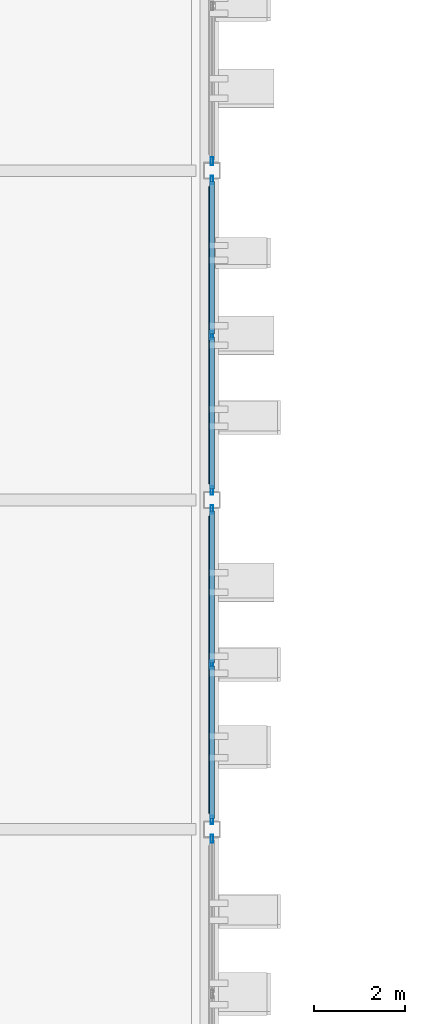
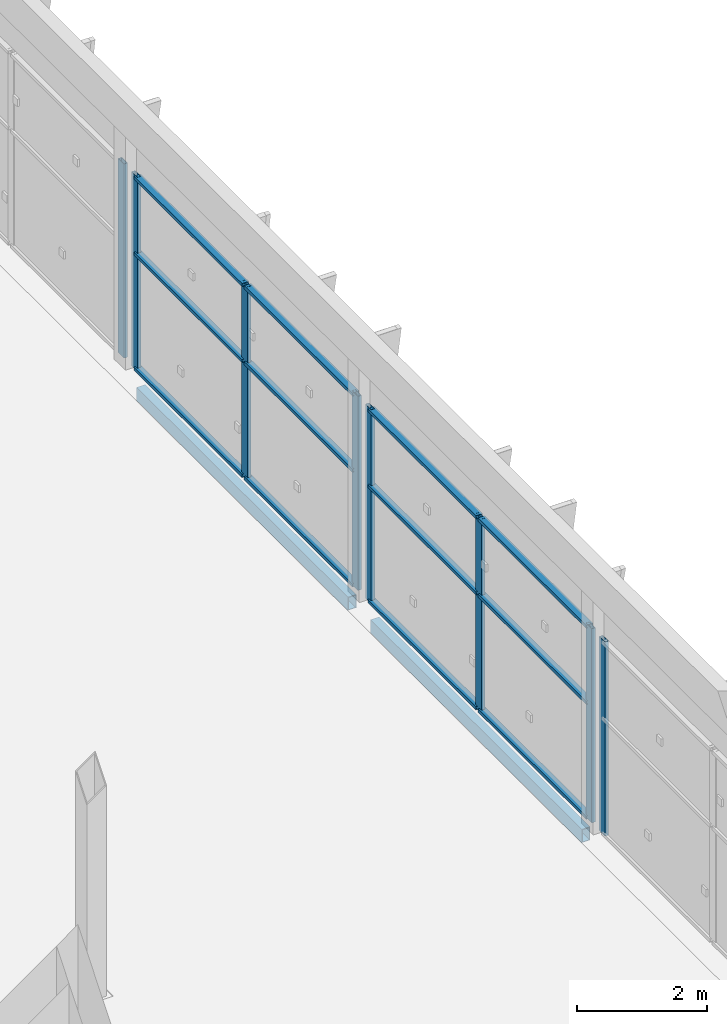
# One storey, part 50 of 124: 20 members, 2 beams, 4 elements without a shape of their own.
"""IFC4 building model written with IfcOpenShell, lengths in metres."""

from ifc_helpers import new_model, si_unit, direction, frame, origin, origin_2d, place, context, subcontext, project, spatial, hollow_rectangle, extrude, material, layer, layer_set, material_profile, profile_set, type_object, element, aggregate, save


model = new_model("IFC4")

# Units and contexts
model_context = context("Model", 3, precision=1e-05, world=origin(), true_north=direction((0.0, 1.0)))
body_context = subcontext(model_context, "Body", "Model", "MODEL_VIEW")
ifc_project = project(units=[si_unit("LENGTHUNIT", "METRE"), si_unit("AREAUNIT", "SQUARE_METRE"), si_unit("VOLUMEUNIT", "CUBIC_METRE"), si_unit("PLANEANGLEUNIT", "RADIAN"), si_unit("MASSUNIT", "GRAM", prefix="KILO")], contexts=[model_context])

# Site, building, storey
site_placement = place(None, origin())
site = spatial("IfcSite", under=ifc_project, at=site_placement, CompositionType="ELEMENT")
building_placement = place(site_placement, origin())
building = spatial("IfcBuilding", under=site, at=building_placement, Name="Celestram Park Convention Centre", CompositionType="ELEMENT")
storey_placement = place(building_placement, frame((0.0, 0.0, 15.300048828125)))
storey = spatial("IfcBuildingStorey", under=building, at=storey_placement, Name="L03", CompositionType="ELEMENT", Elevation=15.300048828125)

# Curtain wall, member
ifc_material_1 = material(Name="Anodised Aluminium Alloy 6063-T6", Category="aluminium")
ifc_layer = layer(ifc_material_1, 0.179931640625)
ifc_layer_set = layer_set([ifc_layer], Name="Anodised Aluminium Alloy 6063-T6")
curtain_wall_type = type_object("IfcCurtainWallType", Name="ARC-CW-685X365", PredefinedType="NOTDEFINED", material=ifc_layer_set)
curtain_wall_1_placement = place(storey_placement, origin())
curtain_wall_1 = element("IfcCurtainWall", 1, at=curtain_wall_1_placement, inside=storey, type_object=curtain_wall_type, Name="Unitised curtain wall CU-L03-222", PredefinedType="NOTDEFINED")
ifc_material_profile_1 = material_profile(ifc_material_1, hollow_rectangle(XDim=0.06494140625, YDim=0.179931640625, WallThickness=0.00390625, at=origin_2d()), Name="ALU65X180X4")
ifc_profile_set_1 = profile_set([ifc_material_profile_1], Name="Anodised Aluminium Alloy 6063-T6")
member_type_1 = type_object("IfcMemberType", Name="ARC-CWM-150", PredefinedType="MULLION", material=ifc_profile_set_1)
member_1_placement = place(storey_placement, frame((144.0, 79.405517578125, 0.0), z_axis=(0.0, 0.0, 1.0), x_axis=(1.0, 0.0, 0.0)))
member_1 = element("IfcMember", 2, at=member_1_placement, type_object=member_type_1, Name="CW-68X36 mullion 3", PredefinedType="MULLION", context=body_context, shape_type="SweptSolid", body=[
    extrude(hollow_rectangle(XDim=0.06494140625, YDim=0.179931640625, WallThickness=0.00390625, at=origin_2d()), origin(), (0.0, 0.0, 1.0), 3.64794921875),
])
aggregate(curtain_wall_1, [member_1])

# Curtain wall, members
curtain_wall_2_placement = place(storey_placement, origin())
curtain_wall_2 = element("IfcCurtainWall", 3, at=curtain_wall_2_placement, inside=storey, type_object=curtain_wall_type, Name="Unitised curtain wall CU-L03-223", PredefinedType="NOTDEFINED")
member_2_placement = place(storey_placement, frame((144.0, 78.994384765625, 0.0), z_axis=(0.0, 0.0, 1.0), x_axis=(1.0, 0.0, 0.0)))
member_2 = element("IfcMember", 4, at=member_2_placement, type_object=member_type_1, Name="CW-68X36 mullion 1", PredefinedType="MULLION", context=body_context, shape_type="SweptSolid", body=[
    extrude(hollow_rectangle(XDim=0.06494140625, YDim=0.179931640625, WallThickness=0.00390625, at=origin_2d()), origin(), (0.0, 0.0, 1.0), 3.64794921875),
])
member_3_placement = place(storey_placement, frame((144.0, 75.60009765625, 0.0), z_axis=(0.0, 0.0, 1.0), x_axis=(1.0, 0.0, 0.0)))
member_3 = element("IfcMember", 5, at=member_3_placement, type_object=member_type_1, Name="CW-68X36 mullion 2", PredefinedType="MULLION", context=body_context, shape_type="SweptSolid", body=[
    extrude(hollow_rectangle(XDim=0.06494140625, YDim=0.179931640625, WallThickness=0.00390625, at=origin_2d()), origin(), (0.0, 0.0, 1.0), 3.64794921875),
])
member_4_placement = place(storey_placement, frame((144.0, 72.20556640625, 0.0), z_axis=(0.0, 0.0, 1.0), x_axis=(1.0, 0.0, 0.0)))
member_4 = element("IfcMember", 6, at=member_4_placement, type_object=member_type_1, Name="CW-68X36 mullion 3", PredefinedType="MULLION", context=body_context, shape_type="SweptSolid", body=[
    extrude(hollow_rectangle(XDim=0.06494140625, YDim=0.179931640625, WallThickness=0.00390625, at=origin_2d()), origin(), (0.0, 0.0, 1.0), 3.64794921875),
])

curtain_wall_3_placement = place(storey_placement, origin())
curtain_wall_3 = element("IfcCurtainWall", 7, at=curtain_wall_3_placement, inside=storey, type_object=curtain_wall_type, Name="Unitised curtain wall CU-L03-224", PredefinedType="NOTDEFINED")
member_5_placement = place(storey_placement, frame((144.0, 71.79443359375, 0.0), z_axis=(0.0, 0.0, 1.0), x_axis=(1.0, 0.0, 0.0)))
member_5 = element("IfcMember", 8, at=member_5_placement, type_object=member_type_1, Name="CW-68X36 mullion 1", PredefinedType="MULLION", context=body_context, shape_type="SweptSolid", body=[
    extrude(hollow_rectangle(XDim=0.06494140625, YDim=0.179931640625, WallThickness=0.00390625, at=origin_2d()), origin(), (0.0, 0.0, 1.0), 3.64794921875),
])
member_6_placement = place(storey_placement, frame((144.0, 68.39990234375, 0.0), z_axis=(0.0, 0.0, 1.0), x_axis=(1.0, 0.0, 0.0)))
member_6 = element("IfcMember", 9, at=member_6_placement, type_object=member_type_1, Name="CW-68X36 mullion 2", PredefinedType="MULLION", context=body_context, shape_type="SweptSolid", body=[
    extrude(hollow_rectangle(XDim=0.06494140625, YDim=0.179931640625, WallThickness=0.00390625, at=origin_2d()), origin(), (0.0, 0.0, 1.0), 3.64794921875),
])
member_7_placement = place(storey_placement, frame((144.0, 65.005615234375, 0.0), z_axis=(0.0, 0.0, 1.0), x_axis=(1.0, 0.0, 0.0)))
member_7 = element("IfcMember", 10, at=member_7_placement, type_object=member_type_1, Name="CW-68X36 mullion 3", PredefinedType="MULLION", context=body_context, shape_type="SweptSolid", body=[
    extrude(hollow_rectangle(XDim=0.06494140625, YDim=0.179931640625, WallThickness=0.00390625, at=origin_2d()), origin(), (0.0, 0.0, 1.0), 3.64794921875),
])

# Curtain wall, member
curtain_wall_4_placement = place(storey_placement, origin())
curtain_wall_4 = element("IfcCurtainWall", 11, at=curtain_wall_4_placement, inside=storey, type_object=curtain_wall_type, Name="Unitised curtain wall CU-L03-225", PredefinedType="NOTDEFINED")
member_8_placement = place(storey_placement, frame((144.0, 64.594482421875, 0.0), z_axis=(0.0, 0.0, 1.0), x_axis=(1.0, 0.0, 0.0)))
member_8 = element("IfcMember", 12, at=member_8_placement, type_object=member_type_1, Name="CW-68X36 mullion 1", PredefinedType="MULLION", context=body_context, shape_type="SweptSolid", body=[
    extrude(hollow_rectangle(XDim=0.06494140625, YDim=0.179931640625, WallThickness=0.00390625, at=origin_2d()), origin(), (0.0, 0.0, 1.0), 3.64794921875),
])
aggregate(curtain_wall_4, [member_8])

# Member
ifc_material_profile_2 = material_profile(ifc_material_1, hollow_rectangle(XDim=0.1201171875, YDim=0.06005859375, WallThickness=0.0029296875, at=origin_2d()), Name="ALU120X60X3")
ifc_profile_set_2 = profile_set([ifc_material_profile_2], Name="Anodised Aluminium Alloy 6063-T6")
member_type_2 = type_object("IfcMemberType", Name="ARC-CWT-120", PredefinedType="USERDEFINED", material=ifc_profile_set_2)
member_9_placement = place(storey_placement, frame((144.0, 78.9619140625, 0.030029296875), z_axis=(0.0, -1.0, 0.0), x_axis=(1.0, 0.0, 0.0)))
member_9 = element("IfcMember", 13, at=member_9_placement, type_object=member_type_2, Name="CW-68X36 transom 1.1", ObjectType="TRANSOM", PredefinedType="USERDEFINED", context=body_context, shape_type="SweptSolid", body=[
    extrude(hollow_rectangle(XDim=0.1201171875, YDim=0.06005859375, WallThickness=0.0029296875, at=origin_2d()), origin(), (0.0, 0.0, 1.0), 3.329345703125),
])

member_10_placement = place(storey_placement, frame((144.0, 78.9619140625, 2.18896484375), z_axis=(0.0, -1.0, 0.0), x_axis=(1.0, 0.0, 0.0)))
member_10 = element("IfcMember", 14, at=member_10_placement, type_object=member_type_2, Name="CW-68X36 transom 1.2", ObjectType="TRANSOM", PredefinedType="USERDEFINED", context=body_context, shape_type="SweptSolid", body=[
    extrude(hollow_rectangle(XDim=0.1201171875, YDim=0.06005859375, WallThickness=0.0029296875, at=origin_2d()), origin(), (0.0, 0.0, 1.0), 3.329345703125),
])

member_11_placement = place(storey_placement, frame((144.0, 78.9619140625, 3.617919921875), z_axis=(0.0, -1.0, 0.0), x_axis=(1.0, 0.0, 0.0)))
member_11 = element("IfcMember", 15, at=member_11_placement, type_object=member_type_2, Name="CW-68X36 transom 1.3", ObjectType="TRANSOM", PredefinedType="USERDEFINED", context=body_context, shape_type="SweptSolid", body=[
    extrude(hollow_rectangle(XDim=0.1201171875, YDim=0.06005859375, WallThickness=0.0029296875, at=origin_2d()), origin(), (0.0, 0.0, 1.0), 3.329345703125),
])

member_12_placement = place(storey_placement, frame((144.0, 75.5673828125, 0.030029296875), z_axis=(0.0, -1.0, 0.0), x_axis=(1.0, 0.0, 0.0)))
member_12 = element("IfcMember", 16, at=member_12_placement, type_object=member_type_2, Name="CW-68X36 transom 2.1", ObjectType="TRANSOM", PredefinedType="USERDEFINED", context=body_context, shape_type="SweptSolid", body=[
    extrude(hollow_rectangle(XDim=0.1201171875, YDim=0.06005859375, WallThickness=0.0029296875, at=origin_2d()), origin(), (0.0, 0.0, 1.0), 3.329345703125),
])

member_13_placement = place(storey_placement, frame((144.0, 75.5673828125, 2.18896484375), z_axis=(0.0, -1.0, 0.0), x_axis=(1.0, 0.0, 0.0)))
member_13 = element("IfcMember", 17, at=member_13_placement, type_object=member_type_2, Name="CW-68X36 transom 2.2", ObjectType="TRANSOM", PredefinedType="USERDEFINED", context=body_context, shape_type="SweptSolid", body=[
    extrude(hollow_rectangle(XDim=0.1201171875, YDim=0.06005859375, WallThickness=0.0029296875, at=origin_2d()), origin(), (0.0, 0.0, 1.0), 3.329345703125),
])

member_14_placement = place(storey_placement, frame((144.0, 75.5673828125, 3.617919921875), z_axis=(0.0, -1.0, 0.0), x_axis=(1.0, 0.0, 0.0)))
member_14 = element("IfcMember", 18, at=member_14_placement, type_object=member_type_2, Name="CW-68X36 transom 2.3", ObjectType="TRANSOM", PredefinedType="USERDEFINED", context=body_context, shape_type="SweptSolid", body=[
    extrude(hollow_rectangle(XDim=0.1201171875, YDim=0.06005859375, WallThickness=0.0029296875, at=origin_2d()), origin(), (0.0, 0.0, 1.0), 3.329345703125),
])

aggregate(curtain_wall_2, [member_2, member_3, member_4, member_9, member_10, member_11, member_12, member_13, member_14])

member_15_placement = place(storey_placement, frame((144.0, 71.761962890625, 0.030029296875), z_axis=(0.0, -1.0, 0.0), x_axis=(1.0, 0.0, 0.0)))
member_15 = element("IfcMember", 19, at=member_15_placement, type_object=member_type_2, Name="CW-68X36 transom 1.1", ObjectType="TRANSOM", PredefinedType="USERDEFINED", context=body_context, shape_type="SweptSolid", body=[
    extrude(hollow_rectangle(XDim=0.1201171875, YDim=0.06005859375, WallThickness=0.0029296875, at=origin_2d()), origin(), (0.0, 0.0, 1.0), 3.329345703125),
])

member_16_placement = place(storey_placement, frame((144.0, 71.761962890625, 2.18896484375), z_axis=(0.0, -1.0, 0.0), x_axis=(1.0, 0.0, 0.0)))
member_16 = element("IfcMember", 20, at=member_16_placement, type_object=member_type_2, Name="CW-68X36 transom 1.2", ObjectType="TRANSOM", PredefinedType="USERDEFINED", context=body_context, shape_type="SweptSolid", body=[
    extrude(hollow_rectangle(XDim=0.1201171875, YDim=0.06005859375, WallThickness=0.0029296875, at=origin_2d()), origin(), (0.0, 0.0, 1.0), 3.329345703125),
])

member_17_placement = place(storey_placement, frame((144.0, 71.761962890625, 3.617919921875), z_axis=(0.0, -1.0, 0.0), x_axis=(1.0, 0.0, 0.0)))
member_17 = element("IfcMember", 21, at=member_17_placement, type_object=member_type_2, Name="CW-68X36 transom 1.3", ObjectType="TRANSOM", PredefinedType="USERDEFINED", context=body_context, shape_type="SweptSolid", body=[
    extrude(hollow_rectangle(XDim=0.1201171875, YDim=0.06005859375, WallThickness=0.0029296875, at=origin_2d()), origin(), (0.0, 0.0, 1.0), 3.329345703125),
])

member_18_placement = place(storey_placement, frame((144.0, 68.367431640625, 0.030029296875), z_axis=(0.0, -1.0, 0.0), x_axis=(1.0, 0.0, 0.0)))
member_18 = element("IfcMember", 22, at=member_18_placement, type_object=member_type_2, Name="CW-68X36 transom 2.1", ObjectType="TRANSOM", PredefinedType="USERDEFINED", context=body_context, shape_type="SweptSolid", body=[
    extrude(hollow_rectangle(XDim=0.1201171875, YDim=0.06005859375, WallThickness=0.0029296875, at=origin_2d()), origin(), (0.0, 0.0, 1.0), 3.329345703125),
])

member_19_placement = place(storey_placement, frame((144.0, 68.367431640625, 2.18896484375), z_axis=(0.0, -1.0, 0.0), x_axis=(1.0, 0.0, 0.0)))
member_19 = element("IfcMember", 23, at=member_19_placement, type_object=member_type_2, Name="CW-68X36 transom 2.2", ObjectType="TRANSOM", PredefinedType="USERDEFINED", context=body_context, shape_type="SweptSolid", body=[
    extrude(hollow_rectangle(XDim=0.1201171875, YDim=0.06005859375, WallThickness=0.0029296875, at=origin_2d()), origin(), (0.0, 0.0, 1.0), 3.329345703125),
])

member_20_placement = place(storey_placement, frame((144.0, 68.367431640625, 3.617919921875), z_axis=(0.0, -1.0, 0.0), x_axis=(1.0, 0.0, 0.0)))
member_20 = element("IfcMember", 24, at=member_20_placement, type_object=member_type_2, Name="CW-68X36 transom 2.3", ObjectType="TRANSOM", PredefinedType="USERDEFINED", context=body_context, shape_type="SweptSolid", body=[
    extrude(hollow_rectangle(XDim=0.1201171875, YDim=0.06005859375, WallThickness=0.0029296875, at=origin_2d()), origin(), (0.0, 0.0, 1.0), 3.329345703125),
])

aggregate(curtain_wall_3, [member_5, member_6, member_7, member_15, member_16, member_17, member_18, member_19, member_20])

# Beams
ifc_material_2 = material(Name="Steel ASTM A500 Grade C", Category="steel")
ifc_material_profile_3 = material_profile(ifc_material_2, hollow_rectangle(XDim=0.14990234375, YDim=0.25, WallThickness=0.010009765625, at=origin_2d()), Name="HSS250X150X10")
ifc_profile_set_3 = profile_set([ifc_material_profile_3], Name="Steel ASTM A500 Grade C")
beam_type = type_object("IfcBeamType", Name="STR-SPN-HSS250X150", PredefinedType="SPANDREL", material=ifc_profile_set_3)
for number, where, z_axis, x_axis, name in (
    (25, (144.0, 65.14794921875, -0.375), (0.0, 1.0, 0.0), (-1.0, 0.0, 0.0), "Primary Y-girder BG-L03-0227"),
    (26, (144.0, 72.347900390625, -0.375), (0.0, 1.0, 0.0), (-1.0, 0.0, 0.0), "Primary Y-girder BG-L03-0228"),
):
    element("IfcBeam", number, at=place(storey_placement, frame(where, z_axis=z_axis, x_axis=x_axis)), inside=storey, type_object=beam_type, Name=name, PredefinedType="SPANDREL", context=body_context, shape_type="SweptSolid", body=[
        extrude(hollow_rectangle(XDim=0.14990234375, YDim=0.25, WallThickness=0.010009765625, at=origin_2d()), origin(), (0.0, 0.0, 1.0), 6.504150390625),
    ])

save(model, "model.ifc")
